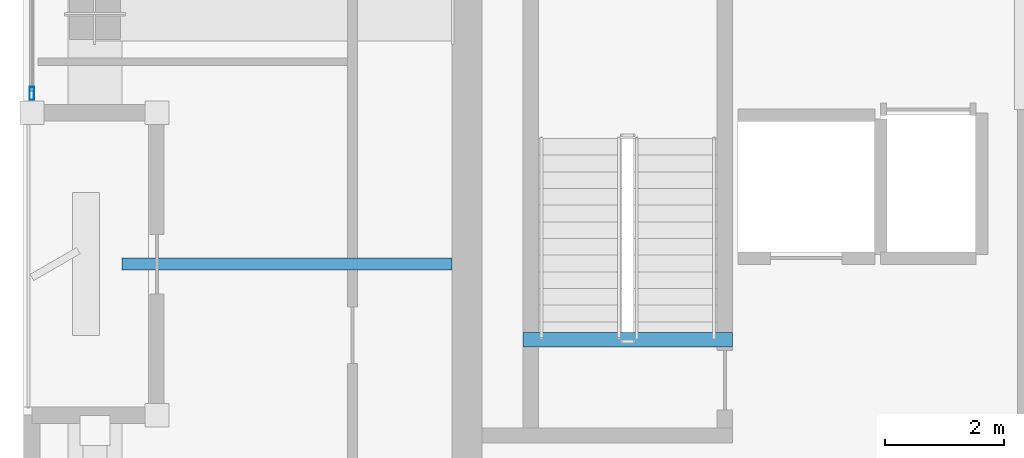
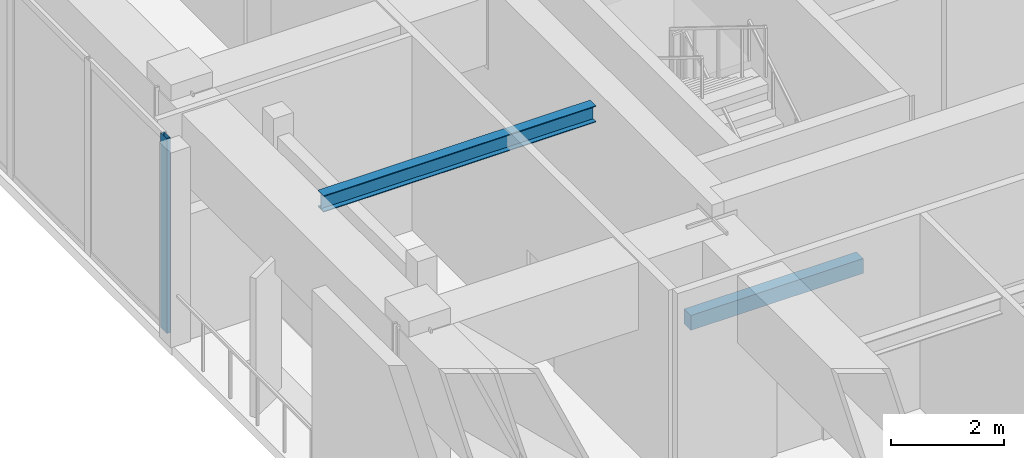
# One storey, part 2 of 17: 2 beams, 1 member, 1 element without a shape of its own.
"""IFC4 building model written with IfcOpenShell, lengths in metres."""

from ifc_helpers import new_model, si_unit, direction, frame, origin, origin_2d, place, context, subcontext, project, spatial, rectangle, hollow_rectangle, i_section, extrude, material, layer, layer_set, material_profile, profile_set, type_object, element, aggregate, save


model = new_model("IFC4")

# Units and contexts
model_context = context("Model", 3, precision=1e-05, world=origin(), true_north=direction((0.0, 1.0)))
body_context = subcontext(model_context, "Body", "Model", "MODEL_VIEW")
ifc_project = project(units=[si_unit("LENGTHUNIT", "METRE"), si_unit("AREAUNIT", "SQUARE_METRE"), si_unit("VOLUMEUNIT", "CUBIC_METRE"), si_unit("PLANEANGLEUNIT", "RADIAN"), si_unit("MASSUNIT", "GRAM", prefix="KILO")], contexts=[model_context])

# Site, building, storey
site_placement = place(None, origin())
site = spatial("IfcSite", under=ifc_project, at=site_placement, CompositionType="ELEMENT")
building_placement = place(site_placement, origin())
building = spatial("IfcBuilding", under=site, at=building_placement, Name="Kiyonajd Concourse Tower", CompositionType="ELEMENT")
storey_placement = place(building_placement, frame((0.0, 0.0, 350.39990234375)))
storey = spatial("IfcBuildingStorey", under=building, at=storey_placement, Name="L88", CompositionType="ELEMENT", Elevation=350.39990234375)

# Beams
ifc_material_1 = material(Name="Steel ASTM A992 Grade 50", Category="steel")
ifc_material_profile_1 = material_profile(ifc_material_1, i_section(OverallWidth=0.205078125, OverallDepth=0.35400390625, WebThickness=0.009521484375, FlangeThickness=0.016845703125, at=origin_2d()), Name="W360X79")
ifc_profile_set_1 = profile_set([ifc_material_profile_1], Name="Steel ASTM A992 Grade 50")
beam_type_1 = type_object("IfcBeamType", Name="BM-JST-360", PredefinedType="JOIST", material=ifc_profile_set_1)
beam_1_placement = place(storey_placement, frame((26.85009765625, 31.800048828125, 3.983154296875), z_axis=(1.0, 0.0, 0.0), x_axis=(0.0, 1.0, 0.0)))
element("IfcBeam", 1, at=beam_1_placement, inside=storey, type_object=beam_type_1, Name="L88 West Secondary Floor Joist", PredefinedType="JOIST", context=body_context, shape_type="SweptSolid", body=[
    extrude(i_section(OverallWidth=0.205078125, OverallDepth=0.35400390625, WebThickness=0.009521484375, FlangeThickness=0.016845703125, at=origin_2d()), origin(), (0.0, 0.0, 1.0), 5.5498046875),
])
ifc_material_2 = material(Name="Concrete C50/60", Category="concrete")
ifc_material_profile_2 = material_profile(ifc_material_2, rectangle(XDim=0.239990234375, YDim=0.320068359375, at=origin_2d()), Name="RCBM-240x320")
ifc_profile_set_2 = profile_set([ifc_material_profile_2], Name="Concrete C50/60")
beam_type_2 = type_object("IfcBeamType", Name="BM-LNT-250", PredefinedType="LINTEL", material=ifc_profile_set_2)
beam_2_placement = place(storey_placement, frame((33.590087890625, 30.530029296875, -0.159912109375), z_axis=(1.0, 0.0, 0.0), x_axis=(0.0, 1.0, 0.0)))
element("IfcBeam", 2, at=beam_2_placement, inside=storey, type_object=beam_type_2, Name="L88 Stair ST1 Threshold Support Beam", PredefinedType="LINTEL", context=body_context, shape_type="SweptSolid", body=[
    extrude(rectangle(XDim=0.239990234375, YDim=0.320068359375, at=origin_2d()), origin(), (0.0, 0.0, 1.0), 3.52001953125),
])

# Curtain wall, member
ifc_material_3 = material(Name="Thermally Broken Anodised Aluminium", Category="aluminium")
ifc_layer = layer(ifc_material_3, 0.179931640625)
ifc_layer_set = layer_set([ifc_layer], Name="Thermally Broken Anodised Aluminium")
curtain_wall_type = type_object("IfcCurtainWallType", Name="CW-SYS-06", PredefinedType="NOTDEFINED", material=ifc_layer_set)
curtain_wall_placement = place(storey_placement, origin())
curtain_wall = element("IfcCurtainWall", 3, at=curtain_wall_placement, inside=storey, type_object=curtain_wall_type, Name="L88 Unitised Curtain Wall CW6", PredefinedType="NOTDEFINED")
ifc_material_profile_3 = material_profile(ifc_material_3, hollow_rectangle(XDim=0.074951171875, YDim=0.219970703125, WallThickness=0.0048828125, at=origin_2d()), Name="MULL-75x220")
ifc_profile_set_3 = profile_set([ifc_material_profile_3], Name="Thermally Broken Anodised Aluminium")
member_type = type_object("IfcMemberType", Name="MB-CW-MULL2", PredefinedType="MULLION", material=ifc_profile_set_3)
member_placement = place(storey_placement, frame((25.340087890625, 34.66748046875, 0.0), z_axis=(0.0, 0.0, 1.0), x_axis=(-1.0, 0.0, 0.0)))
member = element("IfcMember", 4, at=member_placement, type_object=member_type, Name="CW6 mullion 1", PredefinedType="MULLION", context=body_context, shape_type="SweptSolid", body=[
    extrude(hollow_rectangle(XDim=0.074951171875, YDim=0.219970703125, WallThickness=0.0048828125, at=origin_2d()), origin(), (0.0, 0.0, 1.0), 4.2001953125),
])
aggregate(curtain_wall, [member])

save(model, "model.ifc")
